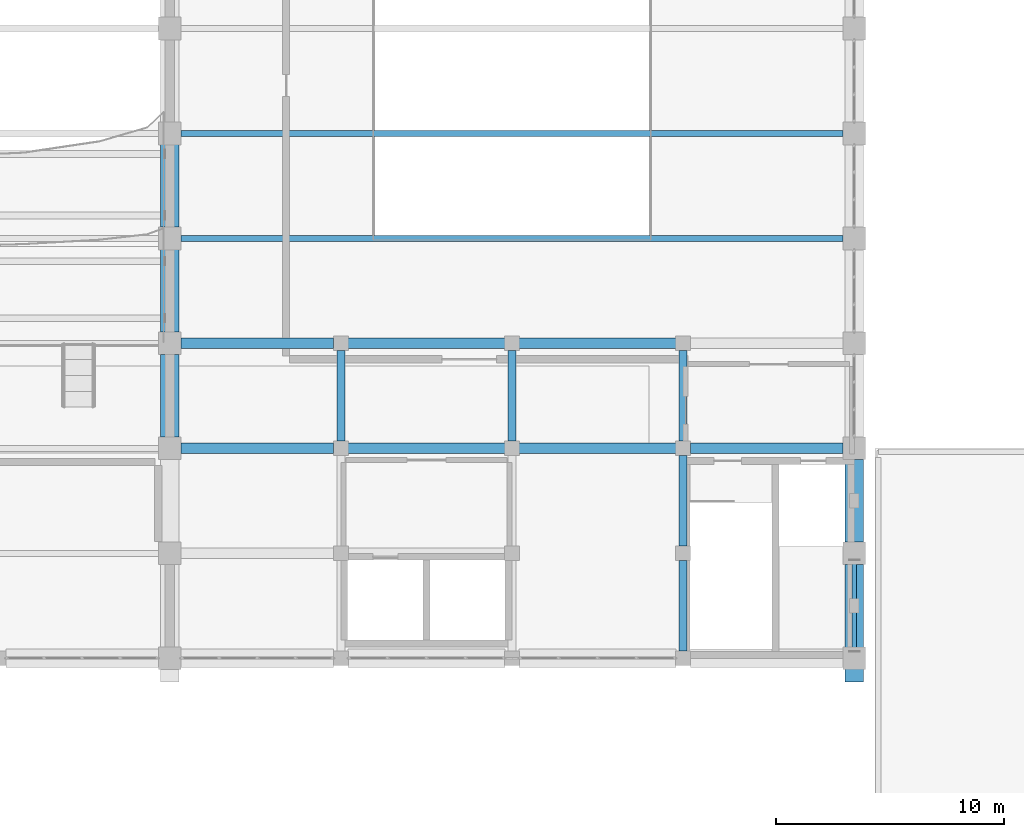
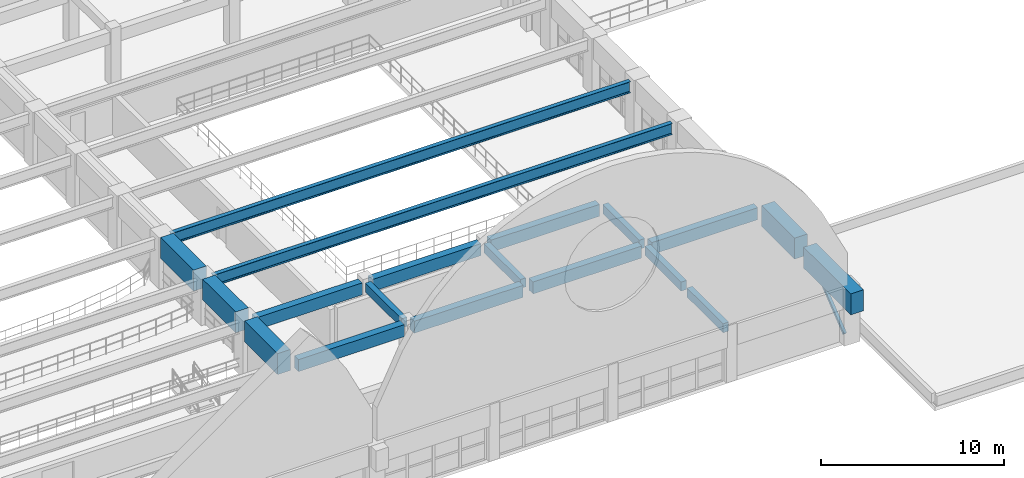
# One storey, part 26 of 74: 19 beams, 1 member.
"""IFC4 building model written with IfcOpenShell, lengths in metres."""

from ifc_helpers import new_model, si_unit, direction, frame, origin, origin_2d, place, context, subcontext, project, spatial, rectangle, hollow_rectangle, i_section, extrude, material, material_profile, profile_set, type_object, element, save


model = new_model("IFC4")

# Units and contexts
model_context = context("Model", 3, precision=1e-05, world=origin(), true_north=direction((0.0, 1.0)))
body_context = subcontext(model_context, "Body", "Model", "MODEL_VIEW")
ifc_project = project(units=[si_unit("LENGTHUNIT", "METRE"), si_unit("AREAUNIT", "SQUARE_METRE"), si_unit("VOLUMEUNIT", "CUBIC_METRE"), si_unit("PLANEANGLEUNIT", "RADIAN"), si_unit("MASSUNIT", "GRAM", prefix="KILO")], contexts=[model_context])

# Site, building, storey
site_placement = place(None, origin())
site = spatial("IfcSite", under=ifc_project, at=site_placement, CompositionType="ELEMENT")
building_placement = place(site_placement, origin())
building = spatial("IfcBuilding", under=site, at=building_placement, Name="Muzn Square Opera House", CompositionType="ELEMENT")
storey_placement = place(building_placement, frame((0.0, 0.0, 14.199951171875)))
storey = spatial("IfcBuildingStorey", under=building, at=storey_placement, Name="L03", CompositionType="ELEMENT", Elevation=14.199951171875)

# Beams
ifc_material_1 = material(Name="Steel S355", Category="steel")
ifc_material_profile_1 = material_profile(ifc_material_1, i_section(OverallWidth=0.264892578125, OverallDepth=0.7529296875, WebThickness=0.01318359375, FlangeThickness=0.01708984375, FilletRadius=0.01708984375, at=origin_2d()), Name="IPE 750x147", Category="steel")
ifc_profile_set_1 = profile_set([ifc_material_profile_1], Name="Steel S355")
beam_type_1 = type_object("IfcBeamType", Name="Long Span Foyer Beam IPE750", PredefinedType="BEAM", material=ifc_profile_set_1)
for number, where, z_axis, x_axis, name in (
    (1, (103.491943359375, 40.39990234375, 3.1435546875), (1.0, 0.0, 0.0), (0.0, 1.0, 0.0), "Primary Girder BM-L03-BM-LF750-1035_404_1325_404-2444"),
    (2, (103.491943359375, 45.0, 3.1435546875), (1.0, 0.0, 0.0), (0.0, 1.0, 0.0), "Primary Girder BM-L03-BM-LF750-1035_450_1325_450-2447"),
):
    element("IfcBeam", number, at=place(storey_placement, frame(where, z_axis=z_axis, x_axis=x_axis)), inside=storey, type_object=beam_type_1, Name=name, PredefinedType="BEAM", context=body_context, shape_type="SweptSolid", body=[
        extrude(i_section(OverallWidth=0.264892578125, OverallDepth=0.7529296875, WebThickness=0.01318359375, FlangeThickness=0.01708984375, FilletRadius=0.01708984375, at=origin_2d()), origin(), (0.0, 0.0, 1.0), 29.01611328125),
    ])
ifc_material_2 = material(Name="Concrete C40/50", Category="concrete")
ifc_material_profile_2 = material_profile(ifc_material_2, rectangle(XDim=0.35009765625, YDim=0.60009765625, at=origin_2d()), Name="RCB 350x600", Category="concrete")
ifc_profile_set_2 = profile_set([ifc_material_profile_2], Name="Concrete C40/50")
beam_type_2 = type_object("IfcBeamType", Name="Primary Girder 350x600", PredefinedType="BEAM", material=ifc_profile_set_2)
for number, where, z_axis, x_axis, name in (
    (3, (110.5, 31.51708984375, 3.219970703125), (0.0, 1.0, 0.0), (-1.0, 0.0, 0.0), "Primary Girder BM-L03-BM-PG600-1105_315_1105_355-2597"),
    (4, (118.0, 31.51708984375, 3.219970703125), (0.0, 1.0, 0.0), (-1.0, 0.0, 0.0), "Primary Girder BM-L03-BM-PG600-1180_315_1180_355-2605"),
):
    element("IfcBeam", number, at=place(storey_placement, frame(where, z_axis=z_axis, x_axis=x_axis)), inside=storey, type_object=beam_type_2, Name=name, PredefinedType="BEAM", context=body_context, shape_type="SweptSolid", body=[
        extrude(rectangle(XDim=0.35009765625, YDim=0.60009765625, at=origin_2d()), origin(), (0.0, 0.0, 1.0), 3.9658203125),
    ])
for number, where, z_axis, x_axis, name in (
    (5, (125.5, 22.31689453125, 3.219970703125), (0.0, 1.0, 0.0), (-1.0, 0.0, 0.0), "Primary Girder BM-L03-BM-PG600-1255_223_1255_263-2608"),
    (6, (125.5, 26.9169921875, 3.219970703125), (0.0, 1.0, 0.0), (-1.0, 0.0, 0.0), "Primary Girder BM-L03-BM-PG600-1255_269_1255_309-2609"),
):
    element("IfcBeam", number, at=place(storey_placement, frame(where, z_axis=z_axis, x_axis=x_axis)), inside=storey, type_object=beam_type_2, Name=name, PredefinedType="BEAM", context=body_context, shape_type="SweptSolid", body=[
        extrude(rectangle(XDim=0.35009765625, YDim=0.60009765625, at=origin_2d()), origin(), (0.0, 0.0, 1.0), 3.966064453125),
    ])
beam_1_placement = place(storey_placement, frame((125.5, 31.51708984375, 3.219970703125), z_axis=(0.0, 1.0, 0.0), x_axis=(-1.0, 0.0, 0.0)))
element("IfcBeam", 7, at=beam_1_placement, inside=storey, type_object=beam_type_2, Name="Primary Girder BM-L03-BM-PG600-1255_315_1255_355-2610", PredefinedType="BEAM", context=body_context, shape_type="SweptSolid", body=[
    extrude(rectangle(XDim=0.35009765625, YDim=0.60009765625, at=origin_2d()), origin(), (0.0, 0.0, 1.0), 3.9658203125),
])
ifc_material_profile_3 = material_profile(ifc_material_2, rectangle(XDim=0.449951171875, YDim=0.800048828125, at=origin_2d()), Name="RCB 450x800", Category="concrete")
ifc_profile_set_3 = profile_set([ifc_material_profile_3], Name="Concrete C40/50")
beam_type_3 = type_object("IfcBeamType", Name="Primary Girder 450x800", PredefinedType="BEAM", material=ifc_profile_set_3)
beam_2_placement = place(storey_placement, frame((103.491943359375, 31.199951171875, 3.1201171875), z_axis=(1.0, 0.0, 0.0), x_axis=(0.0, 1.0, 0.0)))
element("IfcBeam", 8, at=beam_2_placement, inside=storey, type_object=beam_type_3, Name="Primary Girder BM-L03-BM-PG800-1035_312_1102_312-2429", PredefinedType="BEAM", context=body_context, shape_type="SweptSolid", body=[
    extrude(rectangle(XDim=0.449951171875, YDim=0.800048828125, at=origin_2d()), origin(), (0.0, 0.0, 1.0), 6.691162109375),
])
for number, where, z_axis, x_axis, name in (
    (9, (110.81689453125, 31.199951171875, 3.1201171875), (1.0, 0.0, 0.0), (0.0, 1.0, 0.0), "Primary Girder BM-L03-BM-PG800-1108_312_1177_312-2430"),
    (10, (118.31689453125, 31.199951171875, 3.1201171875), (1.0, 0.0, 0.0), (0.0, 1.0, 0.0), "Primary Girder BM-L03-BM-PG800-1183_312_1252_312-2431"),
):
    element("IfcBeam", number, at=place(storey_placement, frame(where, z_axis=z_axis, x_axis=x_axis)), inside=storey, type_object=beam_type_3, Name=name, PredefinedType="BEAM", context=body_context, shape_type="SweptSolid", body=[
        extrude(rectangle(XDim=0.449951171875, YDim=0.800048828125, at=origin_2d()), origin(), (0.0, 0.0, 1.0), 6.8662109375),
    ])
for number, where, z_axis, x_axis, name in (
    (11, (125.81689453125, 31.199951171875, 3.1201171875), (1.0, 0.0, 0.0), (0.0, 1.0, 0.0), "Primary Girder BM-L03-BM-PG800-1258_312_1325_312-2432"),
    (12, (103.491943359375, 35.800048828125, 3.1201171875), (1.0, 0.0, 0.0), (0.0, 1.0, 0.0), "Primary Girder BM-L03-BM-PG800-1035_358_1102_358-2438"),
):
    element("IfcBeam", number, at=place(storey_placement, frame(where, z_axis=z_axis, x_axis=x_axis)), inside=storey, type_object=beam_type_3, Name=name, PredefinedType="BEAM", context=body_context, shape_type="SweptSolid", body=[
        extrude(rectangle(XDim=0.449951171875, YDim=0.800048828125, at=origin_2d()), origin(), (0.0, 0.0, 1.0), 6.691162109375),
    ])
for number, where, z_axis, x_axis, name in (
    (13, (110.81689453125, 35.800048828125, 3.1201171875), (1.0, 0.0, 0.0), (0.0, 1.0, 0.0), "Primary Girder BM-L03-BM-PG800-1108_358_1177_358-2439"),
    (14, (118.31689453125, 35.800048828125, 3.1201171875), (1.0, 0.0, 0.0), (0.0, 1.0, 0.0), "Primary Girder BM-L03-BM-PG800-1183_358_1252_358-2440"),
):
    element("IfcBeam", number, at=place(storey_placement, frame(where, z_axis=z_axis, x_axis=x_axis)), inside=storey, type_object=beam_type_3, Name=name, PredefinedType="BEAM", context=body_context, shape_type="SweptSolid", body=[
        extrude(rectangle(XDim=0.449951171875, YDim=0.800048828125, at=origin_2d()), origin(), (0.0, 0.0, 1.0), 6.8662109375),
    ])

# Member
ifc_material_profile_4 = material_profile(ifc_material_1, hollow_rectangle(XDim=0.179931640625, YDim=0.179931640625, WallThickness=0.010009765625, at=origin_2d()), Name="SHS 180x180x10", Category="steel")
ifc_profile_set_4 = profile_set([ifc_material_profile_4], Name="Steel S355")
member_type = type_object("IfcMemberType", Name="Truss Web Brace SHS180", PredefinedType="BRACE", material=ifc_profile_set_4)
member_placement = place(storey_placement, frame((133.0, 22.300048828125, 0.199951171875), z_axis=(0.0, 0.78085021034, 0.624718295724), x_axis=(-1.0, 0.0, 0.0)))
element("IfcMember", 15, at=member_placement, inside=storey, type_object=member_type, Name="Lateral Frame Brace SBRC-12", PredefinedType="BRACE", context=body_context, shape_type="SweptSolid", body=[
    extrude(hollow_rectangle(XDim=0.179931640625, YDim=0.179931640625, WallThickness=0.010009765625, at=origin_2d()), origin(), (0.0, 0.0, 1.0), 5.12255859375),
])

# Beams
ifc_material_3 = material(Name="Concrete C45/55", Category="concrete")
ifc_material_profile_5 = material_profile(ifc_material_3, rectangle(XDim=0.800048828125, YDim=1.39990234375, at=origin_2d()), Name="RCB 800x1400", Category="concrete")
ifc_profile_set_5 = profile_set([ifc_material_profile_5], Name="Concrete C45/55")
beam_type_4 = type_object("IfcBeamType", Name="Vault Springing Girder 800x1400", PredefinedType="BEAM", material=ifc_profile_set_5)
beam_3_placement = place(storey_placement, frame((103.0, 31.69189453125, 3.10009765625), z_axis=(0.0, 1.0, 0.0), x_axis=(-1.0, 0.0, 0.0)))
element("IfcBeam", 16, at=beam_3_placement, inside=storey, type_object=beam_type_4, Name="Vault Springing Girder BM-L03-BM-VS1400-1030_317_1030_353-2586", PredefinedType="BEAM", context=body_context, shape_type="SweptSolid", body=[
    extrude(rectangle(XDim=0.800048828125, YDim=1.39990234375, at=origin_2d()), origin(), (0.0, 0.0, 1.0), 3.6162109375),
])
for number, where, z_axis, x_axis, name in (
    (17, (103.0, 36.2919921875, 3.10009765625), (0.0, 1.0, 0.0), (-1.0, 0.0, 0.0), "Vault Springing Girder BM-L03-BM-VS1400-1030_363_1030_399-2587"),
    (18, (103.0, 40.89208984375, 3.10009765625), (0.0, 1.0, 0.0), (-1.0, 0.0, 0.0), "Vault Springing Girder BM-L03-BM-VS1400-1030_409_1030_445-2588"),
):
    element("IfcBeam", number, at=place(storey_placement, frame(where, z_axis=z_axis, x_axis=x_axis)), inside=storey, type_object=beam_type_4, Name=name, PredefinedType="BEAM", context=body_context, shape_type="SweptSolid", body=[
        extrude(rectangle(XDim=0.800048828125, YDim=1.39990234375, at=origin_2d()), origin(), (0.0, 0.0, 1.0), 3.615966796875),
    ])
beam_4_placement = place(storey_placement, frame((133.0, 20.949951171875, 3.10009765625), z_axis=(0.0, 1.0, 0.0), x_axis=(-1.0, 0.0, 0.0)))
element("IfcBeam", 19, at=beam_4_placement, inside=storey, type_object=beam_type_4, Name="Vault Springing Girder BM-L03-BM-VS1400-1330_210_1330_261-2613", PredefinedType="BEAM", context=body_context, shape_type="SweptSolid", body=[
    extrude(rectangle(XDim=0.800048828125, YDim=1.39990234375, at=origin_2d()), origin(), (0.0, 0.0, 1.0), 5.157958984375),
])
beam_5_placement = place(storey_placement, frame((133.0, 27.092041015625, 3.10009765625), z_axis=(0.0, 1.0, 0.0), x_axis=(-1.0, 0.0, 0.0)))
element("IfcBeam", 20, at=beam_5_placement, inside=storey, type_object=beam_type_4, Name="Vault Springing Girder BM-L03-BM-VS1400-1330_271_1330_307-2614", PredefinedType="BEAM", context=body_context, shape_type="SweptSolid", body=[
    extrude(rectangle(XDim=0.800048828125, YDim=1.39990234375, at=origin_2d()), origin(), (0.0, 0.0, 1.0), 3.615966796875),
])

save(model, "model.ifc")
